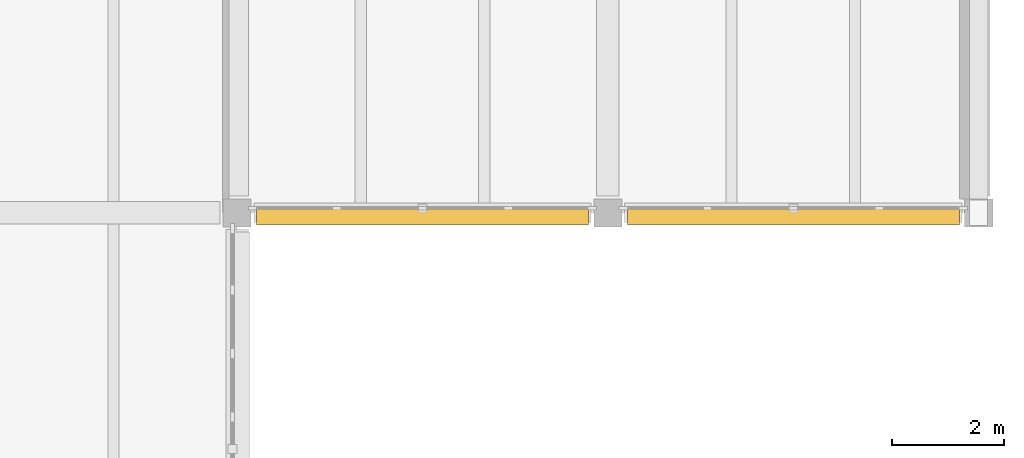
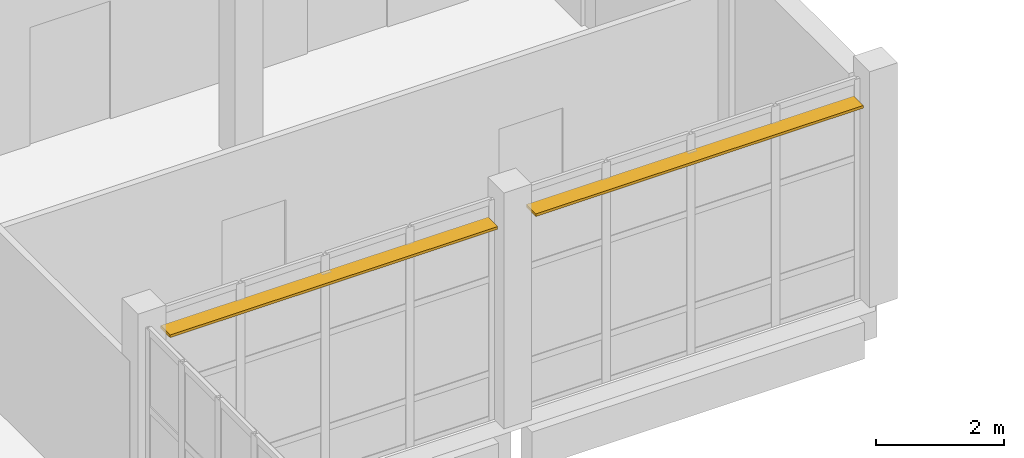
# One storey, part 83 of 83: 2 shading devices.
"""IFC4 building model written with IfcOpenShell, lengths in metres."""

from ifc_helpers import new_model, si_unit, direction, frame, origin, origin_2d, place, context, subcontext, project, spatial, rectangle, extrude, material, layer, layer_set, type_object, element, save


model = new_model("IFC4")

# Units and contexts
model_context = context("Model", 3, precision=1e-05, world=origin(), true_north=direction((0.0, 1.0)))
body_context = subcontext(model_context, "Body", "Model", "MODEL_VIEW")
ifc_project = project(units=[si_unit("LENGTHUNIT", "METRE"), si_unit("AREAUNIT", "SQUARE_METRE"), si_unit("VOLUMEUNIT", "CUBIC_METRE"), si_unit("PLANEANGLEUNIT", "RADIAN"), si_unit("MASSUNIT", "GRAM", prefix="KILO")], contexts=[model_context])

# Site, building, storey
site_placement = place(None, origin())
site = spatial("IfcSite", under=ifc_project, at=site_placement, CompositionType="ELEMENT")
building_placement = place(site_placement, origin())
building = spatial("IfcBuilding", under=site, at=building_placement, Name="Qaldarim Faculty of Natural and Applied Sciences", CompositionType="ELEMENT")
storey_placement = place(building_placement, frame((0.0, 0.0, 5.39990234375)))
storey = spatial("IfcBuildingStorey", under=building, at=storey_placement, Name="L01", CompositionType="ELEMENT", Elevation=5.39990234375)

# Shading devices
ifc_material = material(Name="Champagne anodised aluminium AW-6063", Category="aluminium")
ifc_layer = layer(ifc_material, 0.050048828125)
ifc_layer_set = layer_set([ifc_layer], Name="Champagne anodised aluminium AW-6063")
shading_device_type = type_object("IfcShadingDeviceType", Name="SolarLouvre-ALU300x50", PredefinedType="JALOUSIE", material=ifc_layer_set)
for number, where, z_axis, x_axis, name in (
    (1, (168.300048828125, 100.72998046875, 3.8251953125), (0.0, 0.0, 1.0), (1.0, 0.0, 0.0), "Horizontal solar louvre L01 S X26Y13"),
    (2, (174.89990234375, 100.72998046875, 3.8251953125), (0.0, 0.0, 1.0), (1.0, 0.0, 0.0), "Horizontal solar louvre L01 S X27Y13"),
):
    element("IfcShadingDevice", number, at=place(storey_placement, frame(where, z_axis=z_axis, x_axis=x_axis)), inside=storey, type_object=shading_device_type, Name=name, PredefinedType="JALOUSIE", context=body_context, shape_type="SweptSolid", body=[
        extrude(rectangle(XDim=5.909912109375, YDim=0.300048828125, at=origin_2d()), origin(), (0.0, 0.0, 1.0), 0.050048828125),
    ])

save(model, "model.ifc")
